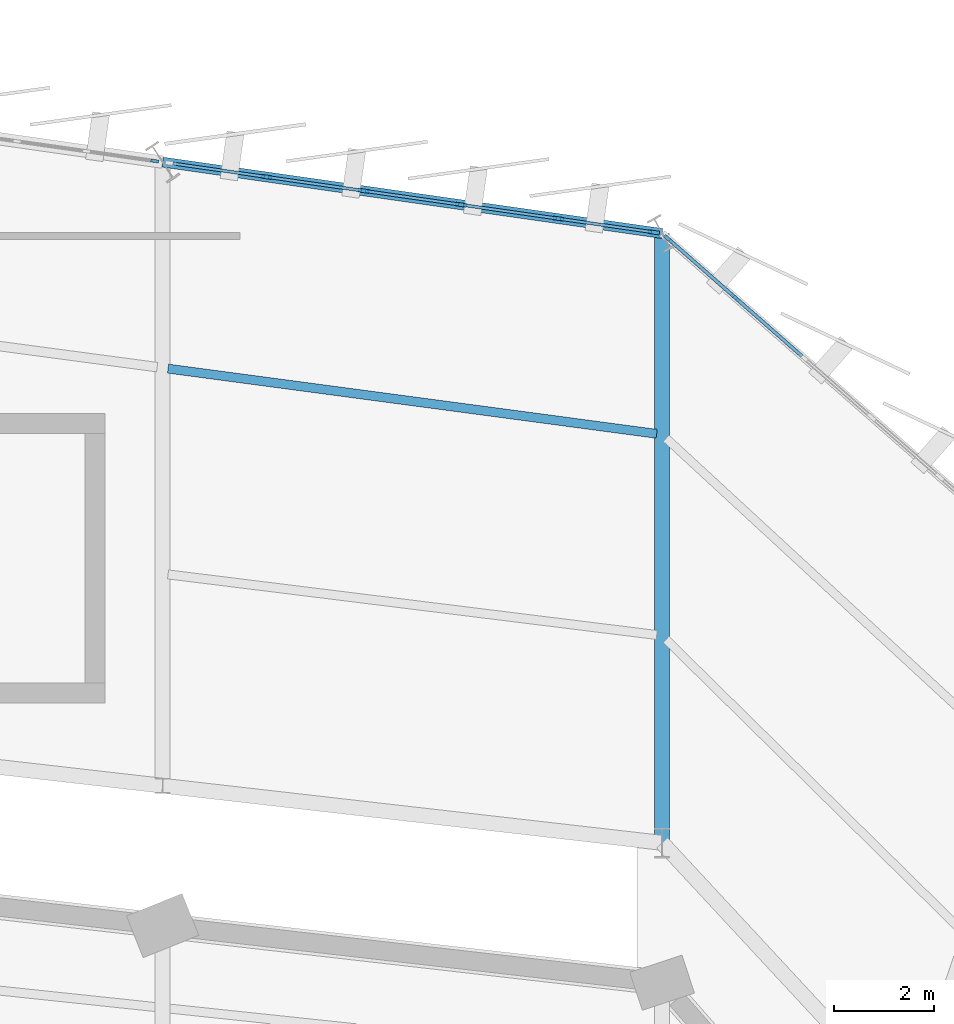
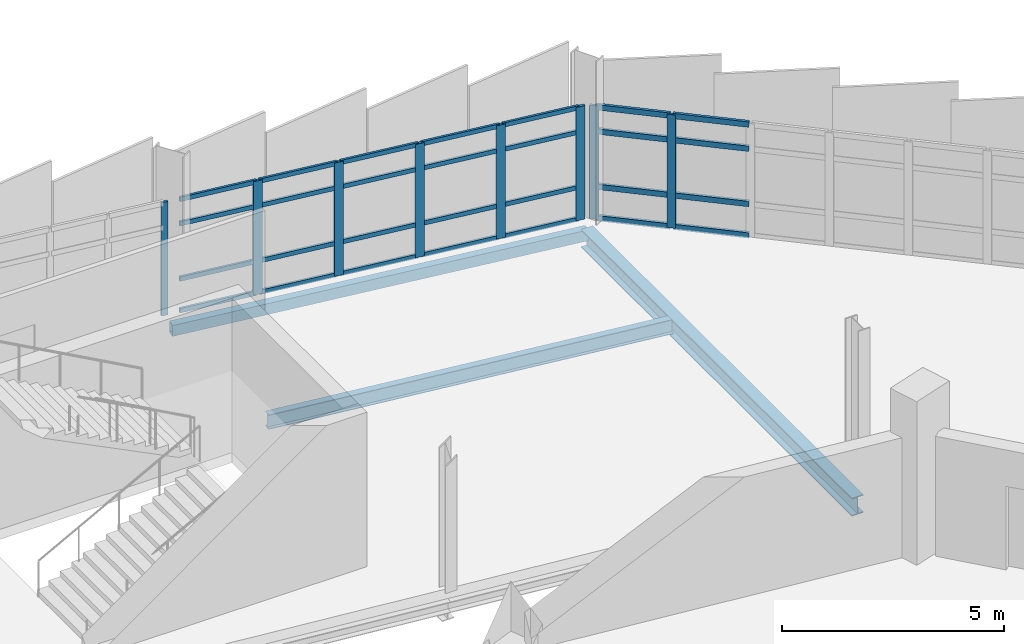
# One storey, part 77 of 134: 36 members, 3 beams, 3 elements without a shape of their own.
"""IFC4 building model written with IfcOpenShell, lengths in metres."""

from ifc_helpers import new_model, si_unit, direction, frame, origin, origin_2d, place, context, subcontext, project, spatial, rectangle, hollow_rectangle, i_section, extrude, material, layer, layer_set, material_profile, profile_set, type_object, element, aggregate, save


model = new_model("IFC4")

# Units and contexts
model_context = context("Model", 3, precision=1e-05, world=origin(), true_north=direction((0.0, 1.0)))
body_context = subcontext(model_context, "Body", "Model", "MODEL_VIEW")
ifc_project = project(units=[si_unit("LENGTHUNIT", "METRE"), si_unit("AREAUNIT", "SQUARE_METRE"), si_unit("VOLUMEUNIT", "CUBIC_METRE"), si_unit("PLANEANGLEUNIT", "RADIAN"), si_unit("MASSUNIT", "GRAM", prefix="KILO")], contexts=[model_context])

# Site, building, storey
site_placement = place(None, origin())
site = spatial("IfcSite", under=ifc_project, at=site_placement, CompositionType="ELEMENT")
building_placement = place(site_placement, origin())
building = spatial("IfcBuilding", under=site, at=building_placement, Name="Sohan Crest Arena", CompositionType="ELEMENT")
storey_placement = place(building_placement, frame((0.0, 0.0, 4.5)))
storey = spatial("IfcBuildingStorey", under=building, at=storey_placement, Name="L01", CompositionType="ELEMENT", Elevation=4.5)

# Curtain wall, member
ifc_material_1 = material(Name="Thermally broken anodised aluminium", Category="aluminium")
ifc_layer_1 = layer(ifc_material_1, 0.18994140625, Name="Thermally broken anodised aluminium")
ifc_layer_set_1 = layer_set([ifc_layer_1], Name="Thermally broken anodised aluminium")
curtain_wall_type_1 = type_object("IfcCurtainWallType", Name="ARC-CW05", PredefinedType="NOTDEFINED", material=ifc_layer_set_1)
curtain_wall_1_placement = place(storey_placement, origin())
curtain_wall_1 = element("IfcCurtainWall", 1, at=curtain_wall_1_placement, inside=storey, type_object=curtain_wall_type_1, Name="Unitised curtain wall CW-044", PredefinedType="NOTDEFINED")
ifc_material_profile_1 = material_profile(ifc_material_1, rectangle(XDim=0.06005859375, YDim=0.159912109375, at=origin_2d()), Name="ALU-MULL 60x160")
ifc_profile_set_1 = profile_set([ifc_material_profile_1], Name="Thermally broken anodised aluminium")
member_type_1 = type_object("IfcMemberType", Name="ARC-CW-ML01", PredefinedType="MULLION", material=ifc_profile_set_1)
member_1_placement = place(storey_placement, frame((157.84130859375, 117.451171875, 0.0), z_axis=(0.0, 0.0, 1.0), x_axis=(-0.141449808729, -0.989945428602, 0.0)))
member_1 = element("IfcMember", 2, at=member_1_placement, type_object=member_type_1, Name="CW-044 mullion 1", PredefinedType="MULLION", context=body_context, shape_type="SweptSolid", body=[
    extrude(rectangle(XDim=0.06005859375, YDim=0.159912109375, at=origin_2d()), origin(), (0.0, 0.0, 1.0), 3.1201171875),
])
aggregate(curtain_wall_1, [member_1])

# Curtain wall, members
ifc_layer_2 = layer(ifc_material_1, 0.219970703125, Name="Thermally broken anodised aluminium")
ifc_layer_set_2 = layer_set([ifc_layer_2], Name="Thermally broken anodised aluminium")
curtain_wall_type_2 = type_object("IfcCurtainWallType", Name="ARC-CW03", PredefinedType="NOTDEFINED", material=ifc_layer_set_2)
curtain_wall_2_placement = place(storey_placement, origin())
curtain_wall_2 = element("IfcCurtainWall", 3, at=curtain_wall_2_placement, inside=storey, type_object=curtain_wall_type_2, Name="Unitised curtain wall CW-042", PredefinedType="NOTDEFINED")
ifc_material_profile_2 = material_profile(ifc_material_1, rectangle(XDim=0.070068359375, YDim=0.199951171875, at=origin_2d()), Name="ALU-MULL 70x200")
ifc_profile_set_2 = profile_set([ifc_material_profile_2], Name="Thermally broken anodised aluminium")
member_type_2 = type_object("IfcMemberType", Name="ARC-CW-ML03", PredefinedType="MULLION", material=ifc_profile_set_2)
member_2_placement = place(storey_placement, frame((169.46240234375, 114.716796875, 0.0), z_axis=(0.0, 0.0, 1.0), x_axis=(-0.659511551903, -0.751694427881, 0.0)))
member_2 = element("IfcMember", 4, at=member_2_placement, type_object=member_type_2, Name="CW-042 mullion 6", PredefinedType="MULLION", context=body_context, shape_type="SweptSolid", body=[
    extrude(rectangle(XDim=0.070068359375, YDim=0.199951171875, at=origin_2d()), origin(), (0.0, 0.0, 1.0), 3.1201171875),
])
member_3_placement = place(storey_placement, frame((168.124267578125, 115.890869140625, 0.0), z_axis=(0.0, 0.0, 1.0), x_axis=(-0.659511551903, -0.751694427881, 0.0)))
member_3 = element("IfcMember", 5, at=member_3_placement, type_object=member_type_2, Name="CW-042 mullion 7", PredefinedType="MULLION", context=body_context, shape_type="SweptSolid", body=[
    extrude(rectangle(XDim=0.070068359375, YDim=0.199951171875, at=origin_2d()), origin(), (0.0, 0.0, 1.0), 3.1201171875),
])

ifc_layer_3 = layer(ifc_material_1, 0.239990234375, Name="Thermally broken anodised aluminium")
ifc_layer_set_3 = layer_set([ifc_layer_3], Name="Thermally broken anodised aluminium")
curtain_wall_type_3 = type_object("IfcCurtainWallType", Name="ARC-CW04", PredefinedType="NOTDEFINED", material=ifc_layer_set_3)
curtain_wall_3_placement = place(storey_placement, origin())
curtain_wall_3 = element("IfcCurtainWall", 6, at=curtain_wall_3_placement, inside=storey, type_object=curtain_wall_type_3, Name="Unitised curtain wall CW-043", PredefinedType="NOTDEFINED")
ifc_material_profile_3 = material_profile(ifc_material_1, rectangle(XDim=0.074951171875, YDim=0.219970703125, at=origin_2d()), Name="ALU-MULL 75x220")
ifc_profile_set_3 = profile_set([ifc_material_profile_3], Name="Thermally broken anodised aluminium")
member_type_3 = type_object("IfcMemberType", Name="ARC-CW-ML04", PredefinedType="MULLION", material=ifc_profile_set_3)
member_4_placement = place(storey_placement, frame((167.833984375, 116.023193359375, 0.0), z_axis=(0.0, 0.0, 1.0), x_axis=(-0.141549389674, -0.989931194722, 0.0)))
member_4 = element("IfcMember", 7, at=member_4_placement, type_object=member_type_3, Name="CW-043 mullion 1", PredefinedType="MULLION", context=body_context, shape_type="SweptSolid", body=[
    extrude(rectangle(XDim=0.074951171875, YDim=0.219970703125, at=origin_2d()), origin(), (0.0, 0.0, 1.0), 3.1201171875),
])
member_5_placement = place(storey_placement, frame((165.922607421875, 116.296630859375, 0.0), z_axis=(0.0, 0.0, 1.0), x_axis=(-0.141549389674, -0.989931194722, 0.0)))
member_5 = element("IfcMember", 8, at=member_5_placement, type_object=member_type_3, Name="CW-043 mullion 2", PredefinedType="MULLION", context=body_context, shape_type="SweptSolid", body=[
    extrude(rectangle(XDim=0.074951171875, YDim=0.219970703125, at=origin_2d()), origin(), (0.0, 0.0, 1.0), 3.1201171875),
])
member_6_placement = place(storey_placement, frame((163.97412109375, 116.5751953125, 0.0), z_axis=(0.0, 0.0, 1.0), x_axis=(-0.141549389674, -0.989931194722, 0.0)))
member_6 = element("IfcMember", 9, at=member_6_placement, type_object=member_type_3, Name="CW-043 mullion 3", PredefinedType="MULLION", context=body_context, shape_type="SweptSolid", body=[
    extrude(rectangle(XDim=0.074951171875, YDim=0.219970703125, at=origin_2d()), origin(), (0.0, 0.0, 1.0), 3.1201171875),
])
member_7_placement = place(storey_placement, frame((162.02587890625, 116.853759765625, 0.0), z_axis=(0.0, 0.0, 1.0), x_axis=(-0.141549389674, -0.989931194722, 0.0)))
member_7 = element("IfcMember", 10, at=member_7_placement, type_object=member_type_3, Name="CW-043 mullion 4", PredefinedType="MULLION", context=body_context, shape_type="SweptSolid", body=[
    extrude(rectangle(XDim=0.074951171875, YDim=0.219970703125, at=origin_2d()), origin(), (0.0, 0.0, 1.0), 3.1201171875),
])
member_8_placement = place(storey_placement, frame((160.077392578125, 117.13232421875, 0.0), z_axis=(0.0, 0.0, 1.0), x_axis=(-0.141549389674, -0.989931194722, 0.0)))
member_8 = element("IfcMember", 11, at=member_8_placement, type_object=member_type_3, Name="CW-043 mullion 5", PredefinedType="MULLION", context=body_context, shape_type="SweptSolid", body=[
    extrude(rectangle(XDim=0.074951171875, YDim=0.219970703125, at=origin_2d()), origin(), (0.0, 0.0, 1.0), 3.1201171875),
])
ifc_material_profile_4 = material_profile(ifc_material_1, rectangle(XDim=0.06005859375, YDim=0.1201171875, at=origin_2d()), Name="ALU-TRAN 60x120")
ifc_profile_set_4 = profile_set([ifc_material_profile_4], Name="Thermally broken anodised aluminium")
member_type_4 = type_object("IfcMemberType", Name="ARC-CW-TR01", PredefinedType="USERDEFINED", material=ifc_profile_set_4)
member_9_placement = place(storey_placement, frame((167.796875, 116.028564453125, 0.030029296875), z_axis=(-0.989931067944, 0.141550276293, 0.0), x_axis=(-0.141550276293, -0.989931067944, 0.0)))
member_9 = element("IfcMember", 12, at=member_9_placement, type_object=member_type_4, Name="CW-043 transom 1.1", ObjectType="TRANSOM", PredefinedType="USERDEFINED", context=body_context, shape_type="SweptSolid", body=[
    extrude(rectangle(XDim=0.06005859375, YDim=0.1201171875, at=origin_2d()), origin(), (0.0, 0.0, 1.0), 1.85595703125),
])
member_10_placement = place(storey_placement, frame((167.796875, 116.028564453125, 0.89990234375), z_axis=(-0.989931067944, 0.141550276293, 0.0), x_axis=(-0.141550276293, -0.989931067944, 0.0)))
member_10 = element("IfcMember", 13, at=member_10_placement, type_object=member_type_4, Name="CW-043 transom 1.2", ObjectType="TRANSOM", PredefinedType="USERDEFINED", context=body_context, shape_type="SweptSolid", body=[
    extrude(rectangle(XDim=0.06005859375, YDim=0.1201171875, at=origin_2d()), origin(), (0.0, 0.0, 1.0), 1.85595703125),
])
member_11_placement = place(storey_placement, frame((167.796875, 116.028564453125, 2.419921875), z_axis=(-0.989931067944, 0.141550276293, 0.0), x_axis=(-0.141550276293, -0.989931067944, 0.0)))
member_11 = element("IfcMember", 14, at=member_11_placement, type_object=member_type_4, Name="CW-043 transom 1.3", ObjectType="TRANSOM", PredefinedType="USERDEFINED", context=body_context, shape_type="SweptSolid", body=[
    extrude(rectangle(XDim=0.06005859375, YDim=0.1201171875, at=origin_2d()), origin(), (0.0, 0.0, 1.0), 1.85595703125),
])
member_12_placement = place(storey_placement, frame((167.796875, 116.028564453125, 3.090087890625), z_axis=(-0.989931067944, 0.141550276293, 0.0), x_axis=(-0.141550276293, -0.989931067944, 0.0)))
member_12 = element("IfcMember", 15, at=member_12_placement, type_object=member_type_4, Name="CW-043 transom 1.4", ObjectType="TRANSOM", PredefinedType="USERDEFINED", context=body_context, shape_type="SweptSolid", body=[
    extrude(rectangle(XDim=0.06005859375, YDim=0.1201171875, at=origin_2d()), origin(), (0.0, 0.0, 1.0), 1.85595703125),
])
member_13_placement = place(storey_placement, frame((165.885498046875, 116.302001953125, 0.030029296875), z_axis=(-0.989944335028, 0.141457461968, 0.0), x_axis=(-0.141457461968, -0.989944335028, 0.0)))
member_13 = element("IfcMember", 16, at=member_13_placement, type_object=member_type_4, Name="CW-043 transom 2.1", ObjectType="TRANSOM", PredefinedType="USERDEFINED", context=body_context, shape_type="SweptSolid", body=[
    extrude(rectangle(XDim=0.06005859375, YDim=0.1201171875, at=origin_2d()), origin(), (0.0, 0.0, 1.0), 1.893310546875),
])
member_14_placement = place(storey_placement, frame((165.885498046875, 116.302001953125, 0.89990234375), z_axis=(-0.989944335028, 0.141457461968, 0.0), x_axis=(-0.141457461968, -0.989944335028, 0.0)))
member_14 = element("IfcMember", 17, at=member_14_placement, type_object=member_type_4, Name="CW-043 transom 2.2", ObjectType="TRANSOM", PredefinedType="USERDEFINED", context=body_context, shape_type="SweptSolid", body=[
    extrude(rectangle(XDim=0.06005859375, YDim=0.1201171875, at=origin_2d()), origin(), (0.0, 0.0, 1.0), 1.893310546875),
])
member_15_placement = place(storey_placement, frame((165.885498046875, 116.302001953125, 2.419921875), z_axis=(-0.989944335028, 0.141457461968, 0.0), x_axis=(-0.141457461968, -0.989944335028, 0.0)))
member_15 = element("IfcMember", 18, at=member_15_placement, type_object=member_type_4, Name="CW-043 transom 2.3", ObjectType="TRANSOM", PredefinedType="USERDEFINED", context=body_context, shape_type="SweptSolid", body=[
    extrude(rectangle(XDim=0.06005859375, YDim=0.1201171875, at=origin_2d()), origin(), (0.0, 0.0, 1.0), 1.893310546875),
])
member_16_placement = place(storey_placement, frame((165.885498046875, 116.302001953125, 3.090087890625), z_axis=(-0.989944335028, 0.141457461968, 0.0), x_axis=(-0.141457461968, -0.989944335028, 0.0)))
member_16 = element("IfcMember", 19, at=member_16_placement, type_object=member_type_4, Name="CW-043 transom 2.4", ObjectType="TRANSOM", PredefinedType="USERDEFINED", context=body_context, shape_type="SweptSolid", body=[
    extrude(rectangle(XDim=0.06005859375, YDim=0.1201171875, at=origin_2d()), origin(), (0.0, 0.0, 1.0), 1.893310546875),
])
member_17_placement = place(storey_placement, frame((163.93701171875, 116.58056640625, 0.030029296875), z_axis=(-0.989941754229, 0.141475521677, 0.0), x_axis=(-0.141475521677, -0.989941754229, 0.0)))
member_17 = element("IfcMember", 20, at=member_17_placement, type_object=member_type_4, Name="CW-043 transom 3.1", ObjectType="TRANSOM", PredefinedType="USERDEFINED", context=body_context, shape_type="SweptSolid", body=[
    extrude(rectangle(XDim=0.06005859375, YDim=0.1201171875, at=origin_2d()), origin(), (0.0, 0.0, 1.0), 1.89306640625),
])
member_18_placement = place(storey_placement, frame((163.93701171875, 116.58056640625, 0.89990234375), z_axis=(-0.989941754229, 0.141475521677, 0.0), x_axis=(-0.141475521677, -0.989941754229, 0.0)))
member_18 = element("IfcMember", 21, at=member_18_placement, type_object=member_type_4, Name="CW-043 transom 3.2", ObjectType="TRANSOM", PredefinedType="USERDEFINED", context=body_context, shape_type="SweptSolid", body=[
    extrude(rectangle(XDim=0.06005859375, YDim=0.1201171875, at=origin_2d()), origin(), (0.0, 0.0, 1.0), 1.89306640625),
])
member_19_placement = place(storey_placement, frame((163.93701171875, 116.58056640625, 2.419921875), z_axis=(-0.989941754229, 0.141475521677, 0.0), x_axis=(-0.141475521677, -0.989941754229, 0.0)))
member_19 = element("IfcMember", 22, at=member_19_placement, type_object=member_type_4, Name="CW-043 transom 3.3", ObjectType="TRANSOM", PredefinedType="USERDEFINED", context=body_context, shape_type="SweptSolid", body=[
    extrude(rectangle(XDim=0.06005859375, YDim=0.1201171875, at=origin_2d()), origin(), (0.0, 0.0, 1.0), 1.89306640625),
])
member_20_placement = place(storey_placement, frame((163.93701171875, 116.58056640625, 3.090087890625), z_axis=(-0.989941754229, 0.141475521677, 0.0), x_axis=(-0.141475521677, -0.989941754229, 0.0)))
member_20 = element("IfcMember", 23, at=member_20_placement, type_object=member_type_4, Name="CW-043 transom 3.4", ObjectType="TRANSOM", PredefinedType="USERDEFINED", context=body_context, shape_type="SweptSolid", body=[
    extrude(rectangle(XDim=0.06005859375, YDim=0.1201171875, at=origin_2d()), origin(), (0.0, 0.0, 1.0), 1.89306640625),
])
member_21_placement = place(storey_placement, frame((161.98876953125, 116.859130859375, 0.030029296875), z_axis=(-0.989926269865, 0.141583827577, 0.0), x_axis=(-0.141583827577, -0.989926269865, 0.0)))
member_21 = element("IfcMember", 24, at=member_21_placement, type_object=member_type_4, Name="CW-043 transom 4.1", ObjectType="TRANSOM", PredefinedType="USERDEFINED", context=body_context, shape_type="SweptSolid", body=[
    extrude(rectangle(XDim=0.06005859375, YDim=0.1201171875, at=origin_2d()), origin(), (0.0, 0.0, 1.0), 1.893310546875),
])
member_22_placement = place(storey_placement, frame((161.98876953125, 116.859130859375, 0.89990234375), z_axis=(-0.989926269865, 0.141583827577, 0.0), x_axis=(-0.141583827577, -0.989926269865, 0.0)))
member_22 = element("IfcMember", 25, at=member_22_placement, type_object=member_type_4, Name="CW-043 transom 4.2", ObjectType="TRANSOM", PredefinedType="USERDEFINED", context=body_context, shape_type="SweptSolid", body=[
    extrude(rectangle(XDim=0.06005859375, YDim=0.1201171875, at=origin_2d()), origin(), (0.0, 0.0, 1.0), 1.893310546875),
])
member_23_placement = place(storey_placement, frame((161.98876953125, 116.859130859375, 2.419921875), z_axis=(-0.989926269865, 0.141583827577, 0.0), x_axis=(-0.141583827577, -0.989926269865, 0.0)))
member_23 = element("IfcMember", 26, at=member_23_placement, type_object=member_type_4, Name="CW-043 transom 4.3", ObjectType="TRANSOM", PredefinedType="USERDEFINED", context=body_context, shape_type="SweptSolid", body=[
    extrude(rectangle(XDim=0.06005859375, YDim=0.1201171875, at=origin_2d()), origin(), (0.0, 0.0, 1.0), 1.893310546875),
])
member_24_placement = place(storey_placement, frame((161.98876953125, 116.859130859375, 3.090087890625), z_axis=(-0.989926269865, 0.141583827577, 0.0), x_axis=(-0.141583827577, -0.989926269865, 0.0)))
member_24 = element("IfcMember", 27, at=member_24_placement, type_object=member_type_4, Name="CW-043 transom 4.4", ObjectType="TRANSOM", PredefinedType="USERDEFINED", context=body_context, shape_type="SweptSolid", body=[
    extrude(rectangle(XDim=0.06005859375, YDim=0.1201171875, at=origin_2d()), origin(), (0.0, 0.0, 1.0), 1.893310546875),
])
member_25_placement = place(storey_placement, frame((160.040283203125, 117.1376953125, 0.030029296875), z_axis=(-0.989931067944, 0.141550276293, 0.0), x_axis=(-0.141550276293, -0.989931067944, 0.0)))
member_25 = element("IfcMember", 28, at=member_25_placement, type_object=member_type_4, Name="CW-043 transom 5.1", ObjectType="TRANSOM", PredefinedType="USERDEFINED", context=body_context, shape_type="SweptSolid", body=[
    extrude(rectangle(XDim=0.06005859375, YDim=0.1201171875, at=origin_2d()), origin(), (0.0, 0.0, 1.0), 1.85595703125),
])
member_26_placement = place(storey_placement, frame((160.040283203125, 117.1376953125, 0.89990234375), z_axis=(-0.989931067944, 0.141550276293, 0.0), x_axis=(-0.141550276293, -0.989931067944, 0.0)))
member_26 = element("IfcMember", 29, at=member_26_placement, type_object=member_type_4, Name="CW-043 transom 5.2", ObjectType="TRANSOM", PredefinedType="USERDEFINED", context=body_context, shape_type="SweptSolid", body=[
    extrude(rectangle(XDim=0.06005859375, YDim=0.1201171875, at=origin_2d()), origin(), (0.0, 0.0, 1.0), 1.85595703125),
])
member_27_placement = place(storey_placement, frame((160.040283203125, 117.1376953125, 2.419921875), z_axis=(-0.989931067944, 0.141550276293, 0.0), x_axis=(-0.141550276293, -0.989931067944, 0.0)))
member_27 = element("IfcMember", 30, at=member_27_placement, type_object=member_type_4, Name="CW-043 transom 5.3", ObjectType="TRANSOM", PredefinedType="USERDEFINED", context=body_context, shape_type="SweptSolid", body=[
    extrude(rectangle(XDim=0.06005859375, YDim=0.1201171875, at=origin_2d()), origin(), (0.0, 0.0, 1.0), 1.85595703125),
])
member_28_placement = place(storey_placement, frame((160.040283203125, 117.1376953125, 3.090087890625), z_axis=(-0.989931067944, 0.141550276293, 0.0), x_axis=(-0.141550276293, -0.989931067944, 0.0)))
member_28 = element("IfcMember", 31, at=member_28_placement, type_object=member_type_4, Name="CW-043 transom 5.4", ObjectType="TRANSOM", PredefinedType="USERDEFINED", context=body_context, shape_type="SweptSolid", body=[
    extrude(rectangle(XDim=0.06005859375, YDim=0.1201171875, at=origin_2d()), origin(), (0.0, 0.0, 1.0), 1.85595703125),
])
aggregate(curtain_wall_3, [member_4, member_5, member_6, member_7, member_8, member_9, member_10, member_11, member_12, member_13, member_14, member_15, member_16, member_17, member_18, member_19, member_20, member_21, member_22, member_23, member_24, member_25, member_26, member_27, member_28])

# Member
ifc_material_profile_5 = material_profile(ifc_material_1, rectangle(XDim=0.070068359375, YDim=0.14990234375, at=origin_2d()), Name="ALU-TRAN 70x150")
ifc_profile_set_5 = profile_set([ifc_material_profile_5], Name="Thermally broken anodised aluminium")
member_type_5 = type_object("IfcMemberType", Name="ARC-CW-TR03", PredefinedType="USERDEFINED", material=ifc_profile_set_5)
member_29_placement = place(storey_placement, frame((170.80078125, 113.542724609375, 0.034912109375), z_axis=(-0.751692200275, 0.659514090863, 0.0), x_axis=(-0.659514090863, -0.751692200275, 0.0)))
member_29 = element("IfcMember", 32, at=member_29_placement, type_object=member_type_5, Name="CW-042 transom 5.1", ObjectType="TRANSOM", PredefinedType="USERDEFINED", context=body_context, shape_type="SweptSolid", body=[
    extrude(rectangle(XDim=0.070068359375, YDim=0.14990234375, at=origin_2d()), origin(), (0.0, 0.0, 1.0), 1.745361328125),
])

member_30_placement = place(storey_placement, frame((170.80078125, 113.542724609375, 0.89990234375), z_axis=(-0.751692200275, 0.659514090863, 0.0), x_axis=(-0.659514090863, -0.751692200275, 0.0)))
member_30 = element("IfcMember", 33, at=member_30_placement, type_object=member_type_5, Name="CW-042 transom 5.2", ObjectType="TRANSOM", PredefinedType="USERDEFINED", context=body_context, shape_type="SweptSolid", body=[
    extrude(rectangle(XDim=0.070068359375, YDim=0.14990234375, at=origin_2d()), origin(), (0.0, 0.0, 1.0), 1.745361328125),
])

member_31_placement = place(storey_placement, frame((170.80078125, 113.542724609375, 2.419921875), z_axis=(-0.751692200275, 0.659514090863, 0.0), x_axis=(-0.659514090863, -0.751692200275, 0.0)))
member_31 = element("IfcMember", 34, at=member_31_placement, type_object=member_type_5, Name="CW-042 transom 5.3", ObjectType="TRANSOM", PredefinedType="USERDEFINED", context=body_context, shape_type="SweptSolid", body=[
    extrude(rectangle(XDim=0.070068359375, YDim=0.14990234375, at=origin_2d()), origin(), (0.0, 0.0, 1.0), 1.745361328125),
])

member_32_placement = place(storey_placement, frame((170.80078125, 113.542724609375, 3.0849609375), z_axis=(-0.751692200275, 0.659514090863, 0.0), x_axis=(-0.659514090863, -0.751692200275, 0.0)))
member_32 = element("IfcMember", 35, at=member_32_placement, type_object=member_type_5, Name="CW-042 transom 5.4", ObjectType="TRANSOM", PredefinedType="USERDEFINED", context=body_context, shape_type="SweptSolid", body=[
    extrude(rectangle(XDim=0.070068359375, YDim=0.14990234375, at=origin_2d()), origin(), (0.0, 0.0, 1.0), 1.745361328125),
])

member_33_placement = place(storey_placement, frame((169.436279296875, 114.739990234375, 0.034912109375), z_axis=(-0.751709450725, 0.659494428855, 0.0), x_axis=(-0.659494428855, -0.751709450725, 0.0)))
member_33 = element("IfcMember", 36, at=member_33_placement, type_object=member_type_5, Name="CW-042 transom 6.1", ObjectType="TRANSOM", PredefinedType="USERDEFINED", context=body_context, shape_type="SweptSolid", body=[
    extrude(rectangle(XDim=0.070068359375, YDim=0.14990234375, at=origin_2d()), origin(), (0.0, 0.0, 1.0), 1.710205078125),
])

member_34_placement = place(storey_placement, frame((169.436279296875, 114.739990234375, 0.89990234375), z_axis=(-0.751709450725, 0.659494428855, 0.0), x_axis=(-0.659494428855, -0.751709450725, 0.0)))
member_34 = element("IfcMember", 37, at=member_34_placement, type_object=member_type_5, Name="CW-042 transom 6.2", ObjectType="TRANSOM", PredefinedType="USERDEFINED", context=body_context, shape_type="SweptSolid", body=[
    extrude(rectangle(XDim=0.070068359375, YDim=0.14990234375, at=origin_2d()), origin(), (0.0, 0.0, 1.0), 1.710205078125),
])

member_35_placement = place(storey_placement, frame((169.436279296875, 114.739990234375, 2.419921875), z_axis=(-0.751709450725, 0.659494428855, 0.0), x_axis=(-0.659494428855, -0.751709450725, 0.0)))
member_35 = element("IfcMember", 38, at=member_35_placement, type_object=member_type_5, Name="CW-042 transom 6.3", ObjectType="TRANSOM", PredefinedType="USERDEFINED", context=body_context, shape_type="SweptSolid", body=[
    extrude(rectangle(XDim=0.070068359375, YDim=0.14990234375, at=origin_2d()), origin(), (0.0, 0.0, 1.0), 1.710205078125),
])

member_36_placement = place(storey_placement, frame((169.436279296875, 114.739990234375, 3.0849609375), z_axis=(-0.751709450725, 0.659494428855, 0.0), x_axis=(-0.659494428855, -0.751709450725, 0.0)))
member_36 = element("IfcMember", 39, at=member_36_placement, type_object=member_type_5, Name="CW-042 transom 6.4", ObjectType="TRANSOM", PredefinedType="USERDEFINED", context=body_context, shape_type="SweptSolid", body=[
    extrude(rectangle(XDim=0.070068359375, YDim=0.14990234375, at=origin_2d()), origin(), (0.0, 0.0, 1.0), 1.710205078125),
])

aggregate(curtain_wall_2, [member_2, member_3, member_29, member_30, member_31, member_32, member_33, member_34, member_35, member_36])

# Beams
ifc_material_2 = material(Name="Steel S355", Category="steel")
ifc_material_profile_6 = material_profile(ifc_material_2, i_section(OverallWidth=0.179931640625, OverallDepth=0.39990234375, WebThickness=0.008544921875, FlangeThickness=0.013427734375, at=origin_2d()), Name="IPE 400")
ifc_profile_set_6 = profile_set([ifc_material_profile_6], Name="Steel S355")
beam_type_1 = type_object("IfcBeamType", Name="STR-BM-B03", PredefinedType="JOIST", material=ifc_profile_set_6)
beam_1_placement = place(storey_placement, frame((167.89111328125, 111.989013671875, -0.47509765625), z_axis=(-0.991219472477, 0.132226916252, 0.0), x_axis=(-0.132226916252, -0.991219472477, 0.0)))
element("IfcBeam", 40, at=beam_1_placement, inside=storey, type_object=beam_type_1, Name="Structural beam J-L01-1216", PredefinedType="JOIST", context=body_context, shape_type="SweptSolid", body=[
    extrude(i_section(OverallWidth=0.179931640625, OverallDepth=0.39990234375, WebThickness=0.008544921875, FlangeThickness=0.013427734375, at=origin_2d()), origin(), (0.0, 0.0, 1.0), 9.868896484375),
])
ifc_material_profile_7 = material_profile(ifc_material_2, i_section(OverallWidth=0.300048828125, OverallDepth=0.5, WebThickness=0.014404296875, FlangeThickness=0.028076171875, at=origin_2d()), Name="HEB 500")
ifc_profile_set_7 = profile_set([ifc_material_profile_7], Name="Steel S355")
beam_type_2 = type_object("IfcBeamType", Name="STR-BM-B14", PredefinedType="BEAM", material=ifc_profile_set_7)
beam_2_placement = place(storey_placement, frame((168.0, 103.800048828125, -0.52490234375), z_axis=(0.0, 1.0, 0.0), x_axis=(-1.0, 0.0, 0.0)))
element("IfcBeam", 41, at=beam_2_placement, inside=storey, type_object=beam_type_2, Name="Structural beam G-L01-1212", PredefinedType="BEAM", context=body_context, shape_type="SweptSolid", body=[
    extrude(i_section(OverallWidth=0.300048828125, OverallDepth=0.5, WebThickness=0.014404296875, FlangeThickness=0.028076171875, at=origin_2d()), origin(), (0.0, 0.0, 1.0), 12.199951171875),
])
ifc_material_profile_8 = material_profile(ifc_material_2, hollow_rectangle(XDim=0.199951171875, YDim=0.300048828125, WallThickness=0.010009765625, at=origin_2d()), Name="RHS 300x200x10")
ifc_profile_set_8 = profile_set([ifc_material_profile_8], Name="Steel S355")
beam_type_3 = type_object("IfcBeamType", Name="STR-BM-SP03", PredefinedType="SPANDREL", material=ifc_profile_set_8)
beam_3_placement = place(storey_placement, frame((168.0, 116.0, -0.425048828125), z_axis=(-0.989944175879, 0.141458575718, 0.0), x_axis=(-0.141458575718, -0.989944175879, 0.0)))
element("IfcBeam", 42, at=beam_3_placement, inside=storey, type_object=beam_type_3, Name="Structural beam SP-L01-1214", PredefinedType="SPANDREL", context=body_context, shape_type="SweptSolid", body=[
    extrude(hollow_rectangle(XDim=0.199951171875, YDim=0.300048828125, WallThickness=0.010009765625, at=origin_2d()), origin(), (0.0, 0.0, 1.0), 10.1015625),
])

save(model, "model.ifc")
